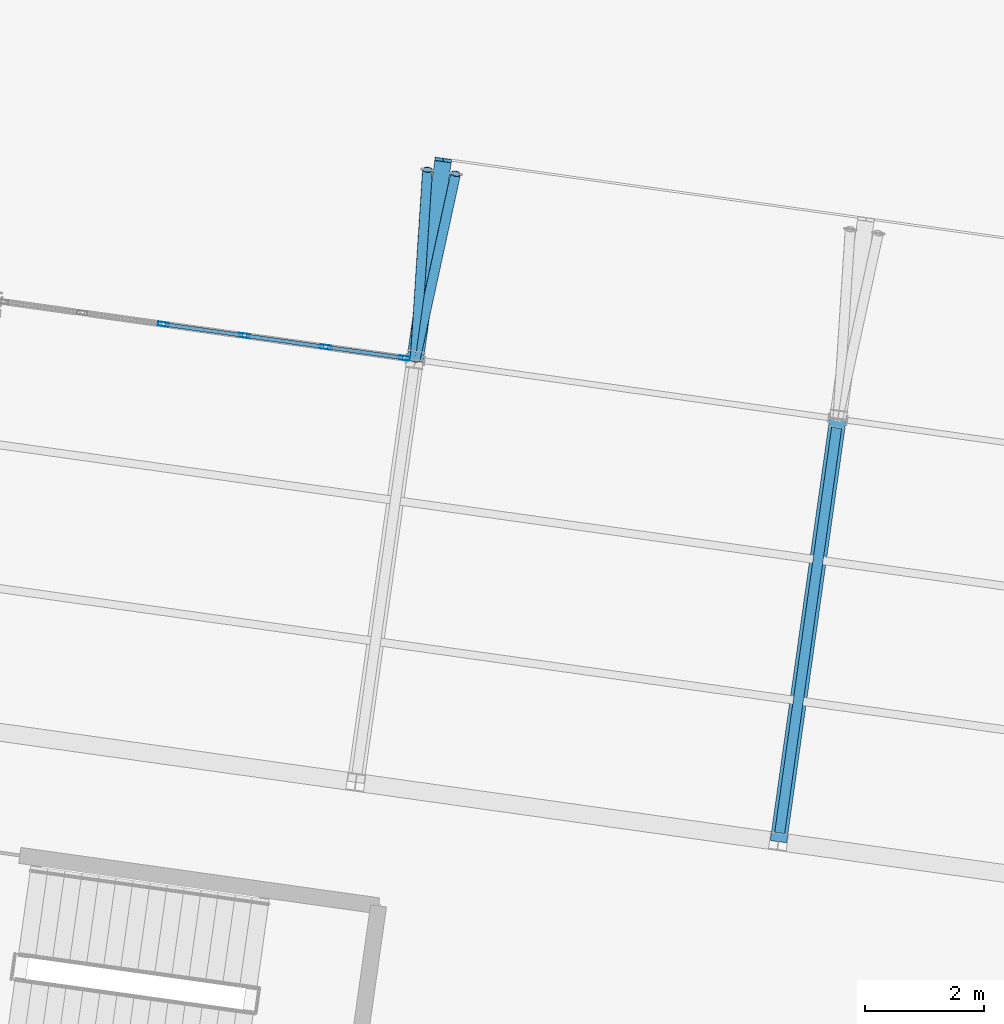
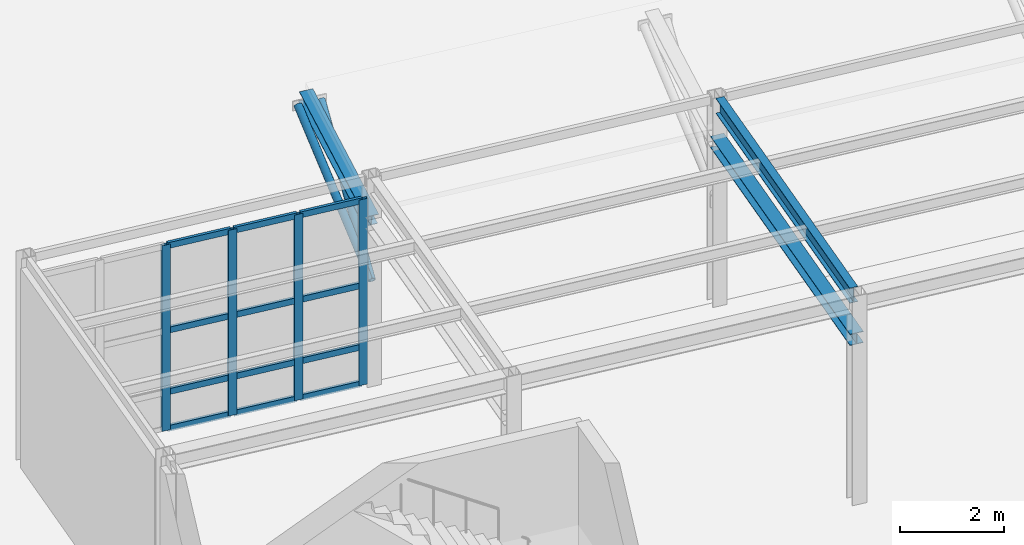
# One storey, part 27 of 57: 18 members, 3 beams, 1 element without a shape of its own.
"""IFC4 building model written with IfcOpenShell, lengths in metres."""

from ifc_helpers import new_model, si_unit, direction, frame, origin, origin_2d, place, context, subcontext, project, spatial, hollow_rectangle, hollow_circle, i_section, extrude, material, layer, layer_set, material_profile, profile_set, type_object, element, aggregate, save


model = new_model("IFC4")

# Units and contexts
model_context = context("Model", 3, precision=1e-05, world=origin(), true_north=direction((0.0, 1.0)))
body_context = subcontext(model_context, "Body", "Model", "MODEL_VIEW")
ifc_project = project(units=[si_unit("LENGTHUNIT", "METRE"), si_unit("AREAUNIT", "SQUARE_METRE"), si_unit("VOLUMEUNIT", "CUBIC_METRE"), si_unit("PLANEANGLEUNIT", "RADIAN"), si_unit("MASSUNIT", "GRAM", prefix="KILO")], contexts=[model_context])

# Site, building, storey
site_placement = place(None, origin())
site = spatial("IfcSite", under=ifc_project, at=site_placement, CompositionType="ELEMENT")
building_placement = place(site_placement, origin())
building = spatial("IfcBuilding", under=site, at=building_placement, Name="Kharisveld Research Institute", CompositionType="ELEMENT")
storey_placement = place(building_placement, origin())
storey = spatial("IfcBuildingStorey", under=building, at=storey_placement, Name="L00", CompositionType="ELEMENT", Elevation=0.0)

# Beams
ifc_material_1 = material(Name="Steel S355JR", Category="steel")
ifc_material_profile_1 = material_profile(ifc_material_1, i_section(OverallWidth=0.280029296875, OverallDepth=0.27001953125, WebThickness=0.008056640625, FlangeThickness=0.012939453125, at=origin_2d()))
ifc_profile_set_1 = profile_set([ifc_material_profile_1], Name="Steel S355JR")
beam_type_1 = type_object("IfcBeamType", Name="BM_ST_HEA280", PredefinedType="BEAM", material=ifc_profile_set_1)
beam_1_placement = place(storey_placement, frame((85.135986328125, 37.8876953125, 3.81005859375), z_axis=(0.135961053342, 0.967013350509, 0.21540606285), x_axis=(-0.990260136953, 0.139229526905, 0.0)))
element("IfcBeam", 1, at=beam_1_placement, inside=storey, type_object=beam_type_1, Name="BM:V4:L00:CAN_OUT_1", PredefinedType="BEAM", context=body_context, shape_type="SweptSolid", body=[
    extrude(i_section(OverallWidth=0.280029296875, OverallDepth=0.27001953125, WebThickness=0.008056640625, FlangeThickness=0.012939453125, at=origin_2d()), origin(), (0.0, 0.0, 1.0), 3.481689453125),
])
beam_2_placement = place(storey_placement, frame((91.263916015625, 29.755859375, 3.81005859375), z_axis=(0.139194563721, 0.99026505211, 0.0), x_axis=(-0.99026505211, 0.139194563721, 0.0)))
element("IfcBeam", 2, at=beam_2_placement, inside=storey, type_object=beam_type_1, Name="BM:V4:L00:CAN_BACK_2", PredefinedType="BEAM", context=body_context, shape_type="SweptSolid", body=[
    extrude(i_section(OverallWidth=0.280029296875, OverallDepth=0.27001953125, WebThickness=0.008056640625, FlangeThickness=0.012939453125, at=origin_2d()), origin(), (0.0, 0.0, 1.0), 7.199951171875),
])
ifc_material_2 = material(Name="Steel S355JR", Category="steel")
ifc_material_profile_2 = material_profile(ifc_material_2, i_section(OverallWidth=0.169921875, OverallDepth=0.360107421875, WebThickness=0.008056640625, FlangeThickness=0.0126953125, at=origin_2d()))
ifc_profile_set_2 = profile_set([ifc_material_profile_2], Name="Steel S355JR")
beam_type_2 = type_object("IfcBeamType", Name="BM_ST_IPE360", PredefinedType="BEAM", material=ifc_profile_set_2)
beam_3_placement = place(storey_placement, frame((91.284912109375, 29.904296875, 4.739990234375), z_axis=(0.139162124603, 0.990269611306, 0.0), x_axis=(-0.990269611306, 0.139162124603, 0.0)))
element("IfcBeam", 3, at=beam_3_placement, inside=storey, type_object=beam_type_2, Name="BM:V4:L00:V2_2", PredefinedType="BEAM", context=body_context, shape_type="SweptSolid", body=[
    extrude(i_section(OverallWidth=0.169921875, OverallDepth=0.360107421875, WebThickness=0.008056640625, FlangeThickness=0.0126953125, at=origin_2d()), origin(), (0.0, 0.0, 1.0), 6.89990234375),
])

# Curtain wall, members
ifc_material_3 = material(Name="Thermally Broken Aluminium Curtain Wall", Category="aluminium")
ifc_layer = layer(ifc_material_3, 0.159912109375)
ifc_layer_set = layer_set([ifc_layer], Name="CW_SYS_03")
curtain_wall_type = type_object("IfcCurtainWallType", Name="CW_SYS_03", PredefinedType="NOTDEFINED", material=ifc_layer_set)
curtain_wall_placement = place(storey_placement, origin())
curtain_wall = element("IfcCurtainWall", 4, at=curtain_wall_placement, inside=storey, type_object=curtain_wall_type, Name="CW:V4:L00:N0", PredefinedType="NOTDEFINED")
ifc_material_4 = material(Name="Anodised Aluminium AW-6063-T6", Category="aluminium")
ifc_material_profile_3 = material_profile(ifc_material_4, hollow_rectangle(XDim=0.070068359375, YDim=0.179931640625, WallThickness=0.00439453125, at=origin_2d()))
ifc_profile_set_3 = profile_set([ifc_material_profile_3], Name="Anodised Aluminium AW-6063-T6")
member_type_1 = type_object("IfcMemberType", Name="CW_MUL_180", PredefinedType="MULLION", material=ifc_profile_set_3)
member_1_placement = place(storey_placement, frame((80.88671875, 38.48486328125, 0.0), z_axis=(0.0, 0.0, 1.0), x_axis=(0.139173089933, 0.990268070291, 0.0)))
member_1 = element("IfcMember", 5, at=member_1_placement, type_object=member_type_1, Name="CW-03 mullion 3", PredefinedType="MULLION", context=body_context, shape_type="SweptSolid", body=[
    extrude(hollow_rectangle(XDim=0.070068359375, YDim=0.179931640625, WallThickness=0.00439453125, at=origin_2d()), origin(), (0.0, 0.0, 1.0), 4.3798828125),
])
member_2_placement = place(storey_placement, frame((82.25537109375, 38.29248046875, 0.0), z_axis=(0.0, 0.0, 1.0), x_axis=(0.139173089933, 0.990268070291, 0.0)))
member_2 = element("IfcMember", 6, at=member_2_placement, type_object=member_type_1, Name="CW-03 mullion 4", PredefinedType="MULLION", context=body_context, shape_type="SweptSolid", body=[
    extrude(hollow_rectangle(XDim=0.070068359375, YDim=0.179931640625, WallThickness=0.00439453125, at=origin_2d()), origin(), (0.0, 0.0, 1.0), 4.3798828125),
])
member_3_placement = place(storey_placement, frame((83.6240234375, 38.100341796875, 0.0), z_axis=(0.0, 0.0, 1.0), x_axis=(0.139173089933, 0.990268070291, 0.0)))
member_3 = element("IfcMember", 7, at=member_3_placement, type_object=member_type_1, Name="CW-03 mullion 5", PredefinedType="MULLION", context=body_context, shape_type="SweptSolid", body=[
    extrude(hollow_rectangle(XDim=0.070068359375, YDim=0.179931640625, WallThickness=0.00439453125, at=origin_2d()), origin(), (0.0, 0.0, 1.0), 4.3798828125),
])
member_4_placement = place(storey_placement, frame((84.957763671875, 37.912841796875, 0.0), z_axis=(0.0, 0.0, 1.0), x_axis=(0.139173089933, 0.990268070291, 0.0)))
member_4 = element("IfcMember", 8, at=member_4_placement, type_object=member_type_1, Name="CW-03 mullion 6", PredefinedType="MULLION", context=body_context, shape_type="SweptSolid", body=[
    extrude(hollow_rectangle(XDim=0.070068359375, YDim=0.179931640625, WallThickness=0.00439453125, at=origin_2d()), origin(), (0.0, 0.0, 1.0), 4.3798828125),
])
ifc_material_5 = material(Name="Anodised Aluminium AW-6063-T6", Category="aluminium")
ifc_material_profile_4 = material_profile(ifc_material_5, hollow_rectangle(XDim=0.06494140625, YDim=0.139892578125, WallThickness=0.00390625, at=origin_2d()))
ifc_profile_set_4 = profile_set([ifc_material_profile_4], Name="Anodised Aluminium AW-6063-T6")
member_type_2 = type_object("IfcMemberType", Name="CW_TRN_140", PredefinedType="USERDEFINED", material=ifc_profile_set_4)
member_5_placement = place(storey_placement, frame((80.92138671875, 38.47998046875, 0.032470703125), z_axis=(0.99026699993, -0.13918070574, 0.0), x_axis=(0.13918070574, 0.99026699993, 0.0)))
member_5 = element("IfcMember", 9, at=member_5_placement, type_object=member_type_2, Name="CW-03 transom 3.1", ObjectType="TRANSOM", PredefinedType="USERDEFINED", context=body_context, shape_type="SweptSolid", body=[
    extrude(hollow_rectangle(XDim=0.06494140625, YDim=0.139892578125, WallThickness=0.00390625, at=origin_2d()), origin(), (0.0, 0.0, 1.0), 1.31201171875),
])
member_6_placement = place(storey_placement, frame((80.92138671875, 38.47998046875, 0.89990234375), z_axis=(0.99026699993, -0.13918070574, 0.0), x_axis=(0.13918070574, 0.99026699993, 0.0)))
member_6 = element("IfcMember", 10, at=member_6_placement, type_object=member_type_2, Name="CW-03 transom 3.2", ObjectType="TRANSOM", PredefinedType="USERDEFINED", context=body_context, shape_type="SweptSolid", body=[
    extrude(hollow_rectangle(XDim=0.06494140625, YDim=0.139892578125, WallThickness=0.00390625, at=origin_2d()), origin(), (0.0, 0.0, 1.0), 1.31201171875),
])
member_7_placement = place(storey_placement, frame((80.92138671875, 38.47998046875, 2.35009765625), z_axis=(0.99026699993, -0.13918070574, 0.0), x_axis=(0.13918070574, 0.99026699993, 0.0)))
member_7 = element("IfcMember", 11, at=member_7_placement, type_object=member_type_2, Name="CW-03 transom 3.3", ObjectType="TRANSOM", PredefinedType="USERDEFINED", context=body_context, shape_type="SweptSolid", body=[
    extrude(hollow_rectangle(XDim=0.06494140625, YDim=0.139892578125, WallThickness=0.00390625, at=origin_2d()), origin(), (0.0, 0.0, 1.0), 1.31201171875),
])
member_8_placement = place(storey_placement, frame((80.92138671875, 38.47998046875, 4.347412109375), z_axis=(0.99026699993, -0.13918070574, 0.0), x_axis=(0.13918070574, 0.99026699993, 0.0)))
member_8 = element("IfcMember", 12, at=member_8_placement, type_object=member_type_2, Name="CW-03 transom 3.4", ObjectType="TRANSOM", PredefinedType="USERDEFINED", context=body_context, shape_type="SweptSolid", body=[
    extrude(hollow_rectangle(XDim=0.06494140625, YDim=0.139892578125, WallThickness=0.00390625, at=origin_2d()), origin(), (0.0, 0.0, 1.0), 1.31201171875),
])
member_9_placement = place(storey_placement, frame((82.2900390625, 38.287841796875, 0.032470703125), z_axis=(0.99026699993, -0.13918070574, 0.0), x_axis=(0.13918070574, 0.99026699993, 0.0)))
member_9 = element("IfcMember", 13, at=member_9_placement, type_object=member_type_2, Name="CW-03 transom 4.1", ObjectType="TRANSOM", PredefinedType="USERDEFINED", context=body_context, shape_type="SweptSolid", body=[
    extrude(hollow_rectangle(XDim=0.06494140625, YDim=0.139892578125, WallThickness=0.00390625, at=origin_2d()), origin(), (0.0, 0.0, 1.0), 1.31201171875),
])
member_10_placement = place(storey_placement, frame((82.2900390625, 38.287841796875, 0.89990234375), z_axis=(0.99026699993, -0.13918070574, 0.0), x_axis=(0.13918070574, 0.99026699993, 0.0)))
member_10 = element("IfcMember", 14, at=member_10_placement, type_object=member_type_2, Name="CW-03 transom 4.2", ObjectType="TRANSOM", PredefinedType="USERDEFINED", context=body_context, shape_type="SweptSolid", body=[
    extrude(hollow_rectangle(XDim=0.06494140625, YDim=0.139892578125, WallThickness=0.00390625, at=origin_2d()), origin(), (0.0, 0.0, 1.0), 1.31201171875),
])
member_11_placement = place(storey_placement, frame((82.2900390625, 38.287841796875, 2.35009765625), z_axis=(0.99026699993, -0.13918070574, 0.0), x_axis=(0.13918070574, 0.99026699993, 0.0)))
member_11 = element("IfcMember", 15, at=member_11_placement, type_object=member_type_2, Name="CW-03 transom 4.3", ObjectType="TRANSOM", PredefinedType="USERDEFINED", context=body_context, shape_type="SweptSolid", body=[
    extrude(hollow_rectangle(XDim=0.06494140625, YDim=0.139892578125, WallThickness=0.00390625, at=origin_2d()), origin(), (0.0, 0.0, 1.0), 1.31201171875),
])
member_12_placement = place(storey_placement, frame((82.2900390625, 38.287841796875, 4.347412109375), z_axis=(0.99026699993, -0.13918070574, 0.0), x_axis=(0.13918070574, 0.99026699993, 0.0)))
member_12 = element("IfcMember", 16, at=member_12_placement, type_object=member_type_2, Name="CW-03 transom 4.4", ObjectType="TRANSOM", PredefinedType="USERDEFINED", context=body_context, shape_type="SweptSolid", body=[
    extrude(hollow_rectangle(XDim=0.06494140625, YDim=0.139892578125, WallThickness=0.00390625, at=origin_2d()), origin(), (0.0, 0.0, 1.0), 1.31201171875),
])
member_13_placement = place(storey_placement, frame((83.65869140625, 38.095458984375, 0.032470703125), z_axis=(0.990264405023, -0.139199167186, 0.0), x_axis=(0.139199167186, 0.990264405023, 0.0)))
member_13 = element("IfcMember", 17, at=member_13_placement, type_object=member_type_2, Name="CW-03 transom 5.1", ObjectType="TRANSOM", PredefinedType="USERDEFINED", context=body_context, shape_type="SweptSolid", body=[
    extrude(hollow_rectangle(XDim=0.06494140625, YDim=0.139892578125, WallThickness=0.00390625, at=origin_2d()), origin(), (0.0, 0.0, 1.0), 1.27685546875),
])
member_14_placement = place(storey_placement, frame((83.65869140625, 38.095458984375, 0.89990234375), z_axis=(0.990264405023, -0.139199167186, 0.0), x_axis=(0.139199167186, 0.990264405023, 0.0)))
member_14 = element("IfcMember", 18, at=member_14_placement, type_object=member_type_2, Name="CW-03 transom 5.2", ObjectType="TRANSOM", PredefinedType="USERDEFINED", context=body_context, shape_type="SweptSolid", body=[
    extrude(hollow_rectangle(XDim=0.06494140625, YDim=0.139892578125, WallThickness=0.00390625, at=origin_2d()), origin(), (0.0, 0.0, 1.0), 1.27685546875),
])
member_15_placement = place(storey_placement, frame((83.65869140625, 38.095458984375, 2.35009765625), z_axis=(0.990264405023, -0.139199167186, 0.0), x_axis=(0.139199167186, 0.990264405023, 0.0)))
member_15 = element("IfcMember", 19, at=member_15_placement, type_object=member_type_2, Name="CW-03 transom 5.3", ObjectType="TRANSOM", PredefinedType="USERDEFINED", context=body_context, shape_type="SweptSolid", body=[
    extrude(hollow_rectangle(XDim=0.06494140625, YDim=0.139892578125, WallThickness=0.00390625, at=origin_2d()), origin(), (0.0, 0.0, 1.0), 1.27685546875),
])
member_16_placement = place(storey_placement, frame((83.65869140625, 38.095458984375, 4.347412109375), z_axis=(0.990264405023, -0.139199167186, 0.0), x_axis=(0.139199167186, 0.990264405023, 0.0)))
member_16 = element("IfcMember", 20, at=member_16_placement, type_object=member_type_2, Name="CW-03 transom 5.4", ObjectType="TRANSOM", PredefinedType="USERDEFINED", context=body_context, shape_type="SweptSolid", body=[
    extrude(hollow_rectangle(XDim=0.06494140625, YDim=0.139892578125, WallThickness=0.00390625, at=origin_2d()), origin(), (0.0, 0.0, 1.0), 1.27685546875),
])
aggregate(curtain_wall, [member_1, member_2, member_3, member_4, member_5, member_6, member_7, member_8, member_9, member_10, member_11, member_12, member_13, member_14, member_15, member_16])

# Members
ifc_material_6 = material(Name="Steel S355J2H", Category="steel")
ifc_material_profile_5 = material_profile(ifc_material_6, hollow_circle(Radius=0.084228515625, WallThickness=0.008056640625, at=origin_2d()))
ifc_profile_set_5 = profile_set([ifc_material_profile_5], Name="Steel S355J2H")
member_type_3 = type_object("IfcMemberType", Name="ST_CHS168", PredefinedType="STRUT", material=ifc_profile_set_5)
for number, where, z_axis, x_axis, name in (
    (21, (85.135986328125, 37.8876953125, 2.39990234375), (0.054017675668, 0.832608521426, 0.551221498823), (-0.997902066437, 0.064741530726, 0.0), "MEM:V4:L00:CAN_STRUT_1A"),
    (22, (85.135986328125, 37.8876953125, 2.39990234375), (0.177607550559, 0.815230082856, 0.55123086814), (-0.977080823403, 0.212868655601, 0.0), "MEM:V4:L00:CAN_STRUT_1B"),
):
    element("IfcMember", number, at=place(storey_placement, frame(where, z_axis=z_axis, x_axis=x_axis)), inside=storey, type_object=member_type_3, Name=name, PredefinedType="STRUT", context=body_context, shape_type="SweptSolid", body=[
        extrude(hollow_circle(Radius=0.084228515625, WallThickness=0.008056640625, at=origin_2d()), origin(), (0.0, 0.0, 1.0), 3.84619140625),
    ])

save(model, "model.ifc")
